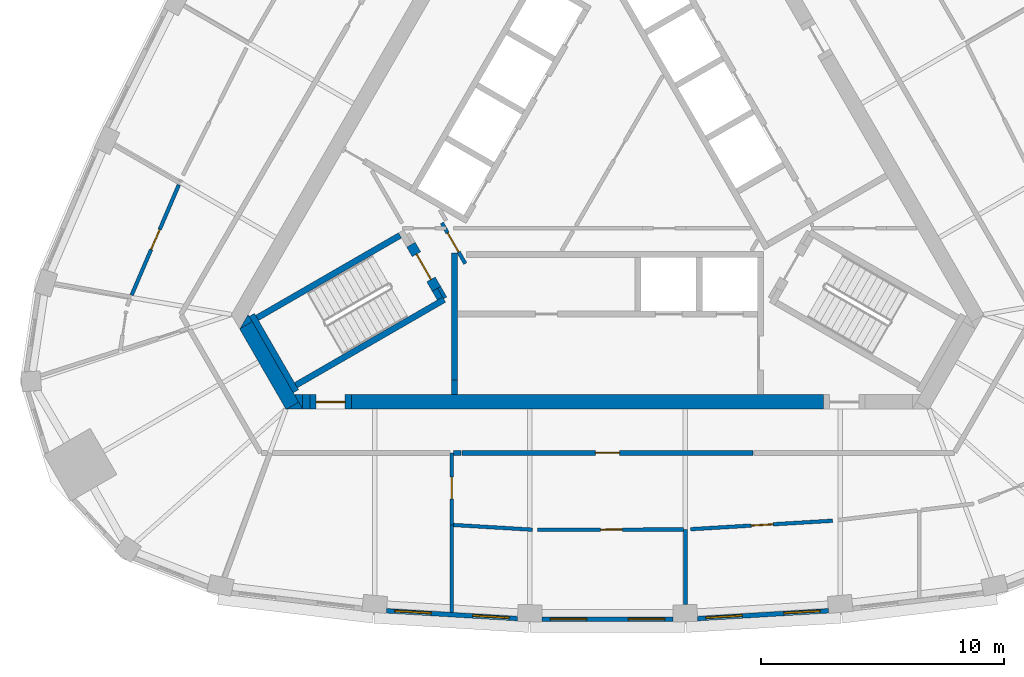
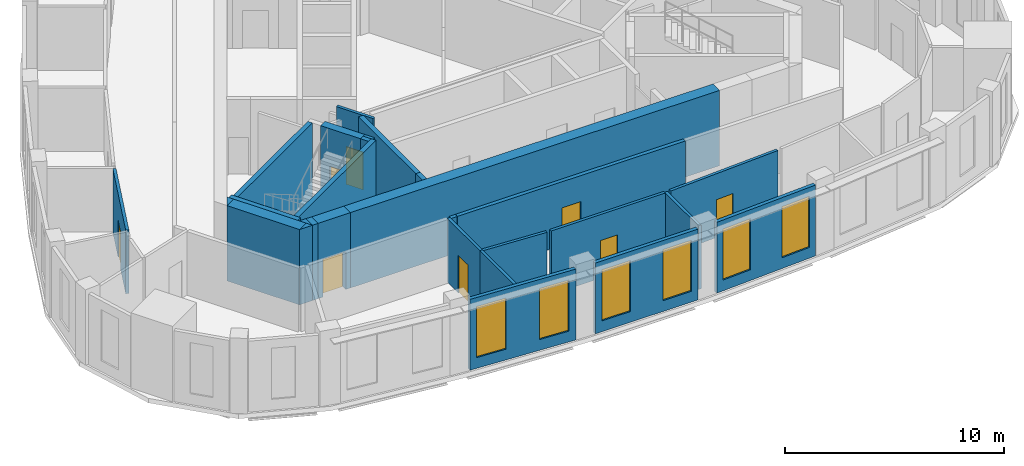
# One storey, part 3 of 10: 28 walls, 8 doors, 6 windows, 14 openings.
"""IFC4 building model written with IfcOpenShell, lengths in metres."""

from ifc_helpers import new_model, si_unit, direction, frame, frame_2d, origin, place, context, subcontext, project, spatial, polyline, rectangle, outline, extrude, material, layer, layer_set, type_object, element, fill, save


model = new_model("IFC4")

# Units and contexts
model_context = context("Model", 3, precision=1e-05, world=origin(), true_north=direction((0.0, 1.0)))
body_context = subcontext(model_context, "Body", "Model", "MODEL_VIEW")
ifc_project = project(units=[si_unit("LENGTHUNIT", "METRE"), si_unit("AREAUNIT", "SQUARE_METRE"), si_unit("VOLUMEUNIT", "CUBIC_METRE"), si_unit("PLANEANGLEUNIT", "RADIAN"), si_unit("MASSUNIT", "GRAM", prefix="KILO")], contexts=[model_context])

# Site, building, storey
site_placement = place(None, origin())
site = spatial("IfcSite", under=ifc_project, at=site_placement, CompositionType="ELEMENT")
building_placement = place(site_placement, origin())
building = spatial("IfcBuilding", under=site, at=building_placement, Name="Mestral Congress Tower", CompositionType="ELEMENT")
storey_placement = place(building_placement, frame((0.0, 0.0, 288.0)))
storey = spatial("IfcBuildingStorey", under=building, at=storey_placement, Name="L67", CompositionType="ELEMENT", Elevation=288.0)

# Walls
ifc_material_1 = material(Name="Concrete C60/75", Category="concrete")
ifc_layer_1 = layer(ifc_material_1, 0.60009765625)
ifc_layer_set_1 = layer_set([ifc_layer_1], Name="Concrete C60/75")
wall_type_1 = type_object("IfcWallType", Name="Core wall RC 600", PredefinedType="SOLIDWALL", material=ifc_layer_set_1)
wall_1_placement = place(storey_placement, frame((-14.898681640625, -6.794677734375, 0.0), z_axis=(0.0, 0.0, 1.0), x_axis=(0.499950938802, -0.866053727428, 0.0)))
element("IfcWall", 1, at=wall_1_placement, inside=storey, type_object=wall_type_1, Name="L67 core wall", PredefinedType="SOLIDWALL", context=body_context, shape_type="SweptSolid", body=[
    extrude(rectangle(XDim=3.8232421875, YDim=0.60009765625, at=frame_2d((1.91162109375, 0.0))), origin(), (0.0, 0.0, 1.0), 4.199951171875),
])
placement = place(storey_placement, origin())
element("IfcWall", 2, at=placement, inside=storey, type_object=wall_type_1, Name="L67 core wall", PredefinedType="SOLIDWALL", context=body_context, shape_type="SweptSolid", body=[
    extrude(outline(polyline([(-14.639892578125, -6.642822265625), (-15.147216796875, -6.935791015625), (-14.80908203125, -6.35009765625), (-14.639892578125, -6.642822265625)])), origin(), (0.0, 0.0, 1.0), 4.199951171875),
])
element("IfcWall", 3, at=placement, inside=storey, type_object=wall_type_1, Name="L67 core wall", PredefinedType="SOLIDWALL", context=body_context, shape_type="SweptSolid", body=[
    extrude(outline(polyline([(-12.557373046875, -10.25), (-13.2333984375, -10.25), (-12.726318359375, -9.957275390625), (-12.557373046875, -10.25)])), origin(), (0.0, 0.0, 1.0), 4.199951171875),
])
wall_4_placement = place(storey_placement, frame((-12.256591796875, -9.949951171875, 0.0), z_axis=(0.0, 0.0, 1.0), x_axis=(-1.0, 0.0, 0.0)))
element("IfcWall", 4, at=wall_4_placement, inside=storey, type_object=wall_type_1, Name="L67 core wall", PredefinedType="SOLIDWALL", context=body_context, shape_type="SweptSolid", body=[
    extrude(rectangle(XDim=0.30712890625, YDim=0.60009765625, at=frame_2d((0.153564453125, 0.0))), origin(), (0.0, 0.0, 1.0), 4.199951171875),
])
element("IfcWall", 5, at=placement, inside=storey, type_object=wall_type_1, Name="L67 core wall", PredefinedType="SOLIDWALL", context=body_context, shape_type="SweptSolid", body=[
    extrude(outline(polyline([(-12.90380859375, -9.64990234375), (-12.56591796875, -9.64990234375), (-12.56591796875, -10.235595703125), (-12.90380859375, -9.64990234375)])), origin(), (0.0, 0.0, 1.0), 4.199951171875),
])
wall_6_placement = place(storey_placement, frame((-10.556396484375, -9.949951171875, 0.0), z_axis=(0.0, 0.0, 1.0), x_axis=(1.0, 0.0, 0.0)))
element("IfcWall", 6, at=wall_6_placement, inside=storey, type_object=wall_type_1, Name="L67 core wall", PredefinedType="SOLIDWALL", context=body_context, shape_type="SweptSolid", body=[
    extrude(rectangle(XDim=19.460693359375, YDim=0.60009765625, at=frame_2d((9.73046875, 0.0))), origin(), (0.0, 0.0, 1.0), 4.199951171875),
])

# Wall, opening, door
wall_7_placement = place(storey_placement, frame((-10.556396484375, -9.949951171875, 0.0), z_axis=(0.0, 0.0, 1.0), x_axis=(-1.0, 0.0, 0.0)))
wall_7 = element("IfcWall", 7, at=wall_7_placement, inside=storey, type_object=wall_type_1, Name="L67 door wall", PredefinedType="SOLIDWALL", context=body_context, shape_type="SweptSolid", body=[
    extrude(rectangle(XDim=1.699951171875, YDim=0.60009765625, at=frame_2d((0.85009765625, 0.0))), origin(), (0.0, 0.0, 1.0), 4.199951171875),
])
opening_1_placement = place(wall_7_placement, frame((0.25, 0.0, 0.0)))
opening_1 = element("IfcOpeningElement", 8, at=opening_1_placement, cuts=wall_7, Name="Opening XD3", PredefinedType="OPENING", context=body_context, shape_type="SweptSolid", body=[
    extrude(rectangle(XDim=1.199951171875, YDim=2.10009765625, at=frame_2d((0.60009765625, 1.050048828125))), frame((0.0, 0.31005859375, 0.0), z_axis=(0.0, -1.0, 0.0), x_axis=(1.0, 0.0, 0.0)), (0.0, 0.0, 1.0), 0.6201171875),
])
ifc_material_2 = material(Name="Fire-rated steel door set", Category="steel")
door_type_1 = type_object("IfcDoorType", Name="Core door XD 1200x2100", OperationType="SINGLE_SWING_LEFT", PredefinedType="DOOR", material=ifc_material_2)
door_1_placement = place(opening_1_placement, origin())
door_1 = element("IfcDoor", 9, at=door_1_placement, inside=storey, type_object=door_type_1, Name="Door XD3", OperationType="SINGLE_SWING_LEFT", OverallHeight=2.10009765625, OverallWidth=1.199951171875, PredefinedType="DOOR", context=body_context, shape_type="SweptSolid", body=[
    extrude(rectangle(XDim=1.199951171875, YDim=2.10009765625, at=frame_2d((0.60009765625, 1.050048828125))), frame((0.0, 0.02490234375, 0.0), z_axis=(0.0, -1.0, 0.0), x_axis=(1.0, 0.0, 0.0)), (0.0, 0.0, 1.0), 0.050048828125),
])
fill(opening_1, door_1)

# Wall, openings, windows
ifc_material_3 = material(Name="Precast concrete C40/50 with limestone facing", Category="masonry")
ifc_layer_2 = layer(ifc_material_3, 0.18994140625)
ifc_layer_set_2 = layer_set([ifc_layer_2], Name="Precast concrete C40/50 with limestone facing")
wall_type_2 = type_object("IfcWallType", Name="Facade stone wall 190", PredefinedType="SOLIDWALL", material=ifc_layer_set_2)
wall_8_placement = place(storey_placement, frame((-9.106689453125, -18.557861328125, 0.0), z_axis=(0.0, 0.0, 1.0), x_axis=(0.998221492823, -0.059614186786, 0.0)))
wall_8 = element("IfcWall", 10, at=wall_8_placement, inside=storey, type_object=wall_type_2, Name="Facade wall F0-01", PredefinedType="SOLIDWALL", context=body_context, shape_type="SweptSolid", body=[
    extrude(rectangle(XDim=5.40576171875, YDim=0.18994140625, at=frame_2d((2.702880859375, 0.0))), origin(), (0.0, 0.0, 1.0), 3.949951171875),
])
opening_2_placement = place(wall_8_placement, frame((0.346435546875, 0.0, 0.60009765625)))
opening_2 = element("IfcOpeningElement", 11, at=opening_2_placement, cuts=wall_8, Name="Opening W6", PredefinedType="OPENING", context=body_context, shape_type="SweptSolid", body=[
    extrude(rectangle(XDim=1.5, YDim=2.85009765625, at=frame_2d((0.75, 1.425048828125))), frame((0.0, 0.10498046875, 0.0), z_axis=(0.0, -1.0, 0.0), x_axis=(1.0, 0.0, 0.0)), (0.0, 0.0, 1.0), 0.2099609375),
])
opening_3_placement = place(wall_8_placement, frame((3.559326171875, 0.0, 0.60009765625)))
opening_3 = element("IfcOpeningElement", 12, at=opening_3_placement, cuts=wall_8, Name="Opening W6", PredefinedType="OPENING", context=body_context, shape_type="SweptSolid", body=[
    extrude(rectangle(XDim=1.5, YDim=2.85009765625, at=frame_2d((0.75, 1.425048828125))), frame((0.0, 0.10498046875, 0.0), z_axis=(0.0, -1.0, 0.0), x_axis=(1.0, 0.0, 0.0)), (0.0, 0.0, 1.0), 0.2099609375),
])
ifc_material_4 = material(Name="Clear low-emissivity double glazing", Category="glass")
window_type = type_object("IfcWindowType", Name="Facade punched window 1500 x 2850 sill 600", PartitioningType="SINGLE_PANEL", PredefinedType="WINDOW", material=ifc_material_4)
window_1_placement = place(opening_2_placement, origin())
window_1 = element("IfcWindow", 13, at=window_1_placement, inside=storey, type_object=window_type, Name="Window F0-01a", OverallHeight=2.85009765625, OverallWidth=1.5, PartitioningType="SINGLE_PANEL", PredefinedType="WINDOW", context=body_context, shape_type="SweptSolid", body=[
    extrude(rectangle(XDim=1.5, YDim=2.85009765625, at=frame_2d((0.75, 1.425048828125))), frame((0.0, 0.044921875, 0.0), z_axis=(0.0, -1.0, 0.0), x_axis=(1.0, 0.0, 0.0)), (0.0, 0.0, 1.0), 0.06005859375),
])
fill(opening_2, window_1)
window_2_placement = place(opening_3_placement, origin())
window_2 = element("IfcWindow", 14, at=window_2_placement, inside=storey, type_object=window_type, Name="Window F0-01b", OverallHeight=2.85009765625, OverallWidth=1.5, PartitioningType="SINGLE_PANEL", PredefinedType="WINDOW", context=body_context, shape_type="SweptSolid", body=[
    extrude(rectangle(XDim=1.5, YDim=2.85009765625, at=frame_2d((0.75, 1.425048828125))), frame((0.0, 0.044921875, 0.0), z_axis=(0.0, -1.0, 0.0), x_axis=(1.0, 0.0, 0.0)), (0.0, 0.0, 1.0), 0.06005859375),
])
fill(opening_3, window_2)

wall_9_placement = place(storey_placement, frame((-2.702880859375, -18.91015625, 0.0), z_axis=(0.0, 0.0, 1.0), x_axis=(1.0, 0.0, 0.0)))
wall_9 = element("IfcWall", 15, at=wall_9_placement, inside=storey, type_object=wall_type_2, Name="Facade wall F0-02", PredefinedType="SOLIDWALL", context=body_context, shape_type="SweptSolid", body=[
    extrude(rectangle(XDim=5.40576171875, YDim=0.18994140625, at=frame_2d((2.702880859375, 0.0))), origin(), (0.0, 0.0, 1.0), 3.949951171875),
])
opening_4_placement = place(wall_9_placement, frame((0.346435546875, 0.0, 0.60009765625)))
opening_4 = element("IfcOpeningElement", 16, at=opening_4_placement, cuts=wall_9, Name="Opening W6", PredefinedType="OPENING", context=body_context, shape_type="SweptSolid", body=[
    extrude(rectangle(XDim=1.5, YDim=2.85009765625, at=frame_2d((0.75, 1.425048828125))), frame((0.0, 0.10498046875, 0.0), z_axis=(0.0, -1.0, 0.0), x_axis=(1.0, 0.0, 0.0)), (0.0, 0.0, 1.0), 0.2099609375),
])
opening_5_placement = place(wall_9_placement, frame((3.5595703125, 0.0, 0.60009765625)))
opening_5 = element("IfcOpeningElement", 17, at=opening_5_placement, cuts=wall_9, Name="Opening W6", PredefinedType="OPENING", context=body_context, shape_type="SweptSolid", body=[
    extrude(rectangle(XDim=1.5, YDim=2.85009765625, at=frame_2d((0.75, 1.425048828125))), frame((0.0, 0.10498046875, 0.0), z_axis=(0.0, -1.0, 0.0), x_axis=(1.0, 0.0, 0.0)), (0.0, 0.0, 1.0), 0.2099609375),
])
window_3_placement = place(opening_4_placement, origin())
window_3 = element("IfcWindow", 18, at=window_3_placement, inside=storey, type_object=window_type, Name="Window F0-02a", OverallHeight=2.85009765625, OverallWidth=1.5, PartitioningType="SINGLE_PANEL", PredefinedType="WINDOW", context=body_context, shape_type="SweptSolid", body=[
    extrude(rectangle(XDim=1.5, YDim=2.85009765625, at=frame_2d((0.75, 1.425048828125))), frame((0.0, 0.044921875, 0.0), z_axis=(0.0, -1.0, 0.0), x_axis=(1.0, 0.0, 0.0)), (0.0, 0.0, 1.0), 0.06005859375),
])
fill(opening_4, window_3)
window_4_placement = place(opening_5_placement, origin())
window_4 = element("IfcWindow", 19, at=window_4_placement, inside=storey, type_object=window_type, Name="Window F0-02b", OverallHeight=2.85009765625, OverallWidth=1.5, PartitioningType="SINGLE_PANEL", PredefinedType="WINDOW", context=body_context, shape_type="SweptSolid", body=[
    extrude(rectangle(XDim=1.5, YDim=2.85009765625, at=frame_2d((0.75, 1.425048828125))), frame((0.0, 0.044921875, 0.0), z_axis=(0.0, -1.0, 0.0), x_axis=(1.0, 0.0, 0.0)), (0.0, 0.0, 1.0), 0.06005859375),
])
fill(opening_5, window_4)

wall_10_placement = place(storey_placement, frame((3.71044921875, -18.880126953125, 0.0), z_axis=(0.0, 0.0, 1.0), x_axis=(0.998221492823, 0.059614186786, 0.0)))
wall_10 = element("IfcWall", 20, at=wall_10_placement, inside=storey, type_object=wall_type_2, Name="Facade wall F0-03", PredefinedType="SOLIDWALL", context=body_context, shape_type="SweptSolid", body=[
    extrude(rectangle(XDim=5.40576171875, YDim=0.18994140625, at=frame_2d((2.702880859375, 0.0))), origin(), (0.0, 0.0, 1.0), 3.949951171875),
])
opening_6_placement = place(wall_10_placement, frame((0.346435546875, 0.0, 0.60009765625)))
opening_6 = element("IfcOpeningElement", 21, at=opening_6_placement, cuts=wall_10, Name="Opening W6", PredefinedType="OPENING", context=body_context, shape_type="SweptSolid", body=[
    extrude(rectangle(XDim=1.5, YDim=2.85009765625, at=frame_2d((0.75, 1.425048828125))), frame((0.0, 0.10498046875, 0.0), z_axis=(0.0, -1.0, 0.0), x_axis=(1.0, 0.0, 0.0)), (0.0, 0.0, 1.0), 0.2099609375),
])
opening_7_placement = place(wall_10_placement, frame((3.559326171875, 0.0, 0.60009765625)))
opening_7 = element("IfcOpeningElement", 22, at=opening_7_placement, cuts=wall_10, Name="Opening W6", PredefinedType="OPENING", context=body_context, shape_type="SweptSolid", body=[
    extrude(rectangle(XDim=1.5, YDim=2.85009765625, at=frame_2d((0.75, 1.425048828125))), frame((0.0, 0.10498046875, 0.0), z_axis=(0.0, -1.0, 0.0), x_axis=(1.0, 0.0, 0.0)), (0.0, 0.0, 1.0), 0.2099609375),
])
window_5_placement = place(opening_6_placement, origin())
window_5 = element("IfcWindow", 23, at=window_5_placement, inside=storey, type_object=window_type, Name="Window F0-03a", OverallHeight=2.85009765625, OverallWidth=1.5, PartitioningType="SINGLE_PANEL", PredefinedType="WINDOW", context=body_context, shape_type="SweptSolid", body=[
    extrude(rectangle(XDim=1.5, YDim=2.85009765625, at=frame_2d((0.75, 1.425048828125))), frame((0.0, 0.044921875, 0.0), z_axis=(0.0, -1.0, 0.0), x_axis=(1.0, 0.0, 0.0)), (0.0, 0.0, 1.0), 0.06005859375),
])
fill(opening_6, window_5)
window_6_placement = place(opening_7_placement, origin())
window_6 = element("IfcWindow", 24, at=window_6_placement, inside=storey, type_object=window_type, Name="Window F0-03b", OverallHeight=2.85009765625, OverallWidth=1.5, PartitioningType="SINGLE_PANEL", PredefinedType="WINDOW", context=body_context, shape_type="SweptSolid", body=[
    extrude(rectangle(XDim=1.5, YDim=2.85009765625, at=frame_2d((0.75, 1.425048828125))), frame((0.0, 0.044921875, 0.0), z_axis=(0.0, -1.0, 0.0), x_axis=(1.0, 0.0, 0.0)), (0.0, 0.0, 1.0), 0.06005859375),
])
fill(opening_7, window_6)

# Wall
ifc_material_5 = material(Name="Plasterboard partition on steel studs", Category="steel")
ifc_layer_3 = layer(ifc_material_5, 0.14990234375)
ifc_layer_set_3 = layer_set([ifc_layer_3], Name="Plasterboard partition on steel studs")
wall_type_3 = type_object("IfcWallType", Name="Office partition 150", PredefinedType="PARTITIONING", material=ifc_layer_set_3)
wall_11_placement = place(storey_placement, frame((-6.420166015625, -15.0126953125, 0.0), z_axis=(0.0, 0.0, 1.0), x_axis=(0.0, -1.0, 0.0)))
element("IfcWall", 25, at=wall_11_placement, inside=storey, type_object=wall_type_3, Name="Partition", PredefinedType="PARTITIONING", context=body_context, shape_type="SweptSolid", body=[
    extrude(rectangle(XDim=3.6103515625, YDim=0.14990234375, at=frame_2d((1.80517578125, 0.0))), origin(), (0.0, 0.0, 1.0), 3.550048828125),
])

# Wall, opening, door
wall_12_placement = place(storey_placement, frame((-6.420166015625, -15.020751953125, 0.0), z_axis=(0.0, 0.0, 1.0), x_axis=(0.0, 1.0, 0.0)))
wall_12 = element("IfcWall", 26, at=wall_12_placement, inside=storey, type_object=wall_type_3, Name="Partition", PredefinedType="PARTITIONING", context=body_context, shape_type="SweptSolid", body=[
    extrude(rectangle(XDim=2.970703125, YDim=0.14990234375, at=frame_2d((1.4853515625, 0.0))), origin(), (0.0, 0.0, 1.0), 3.550048828125),
])
opening_8_placement = place(wall_12_placement, frame((1.07080078125, 0.0, 0.0)))
opening_8 = element("IfcOpeningElement", 27, at=opening_8_placement, cuts=wall_12, Name="Opening O12-001", PredefinedType="OPENING", context=body_context, shape_type="SweptSolid", body=[
    extrude(rectangle(XDim=0.89990234375, YDim=2.10009765625, at=frame_2d((0.449951171875, 1.050048828125))), frame((0.0, 0.0849609375, 0.0), z_axis=(0.0, -1.0, 0.0), x_axis=(1.0, 0.0, 0.0)), (0.0, 0.0, 1.0), 0.169921875),
])
ifc_material_6 = material(Name="Timber door set", Category="wood")
door_type_2 = type_object("IfcDoorType", Name="Office door 900x2100", OperationType="SINGLE_SWING_LEFT", PredefinedType="DOOR", material=ifc_material_6)
door_2_placement = place(opening_8_placement, origin())
door_2 = element("IfcDoor", 28, at=door_2_placement, inside=storey, type_object=door_type_2, Name="Door O12-001", OperationType="SINGLE_SWING_RIGHT", OverallHeight=2.10009765625, OverallWidth=0.89990234375, PredefinedType="DOOR", context=body_context, shape_type="SweptSolid", body=[
    extrude(rectangle(XDim=0.89990234375, YDim=2.10009765625, at=frame_2d((0.449951171875, 1.050048828125))), frame((0.0, 0.02490234375, 0.0), z_axis=(0.0, -1.0, 0.0), x_axis=(1.0, 0.0, 0.0)), (0.0, 0.0, 1.0), 0.050048828125),
])
fill(opening_8, door_2)

# Walls
wall_13_placement = place(storey_placement, frame((3.212890625, -15.208251953125, 0.0), z_axis=(0.0, 0.0, 1.0), x_axis=(0.0, -1.0, 0.0)))
element("IfcWall", 29, at=wall_13_placement, inside=storey, type_object=wall_type_3, Name="Partition", PredefinedType="PARTITIONING", context=body_context, shape_type="SweptSolid", body=[
    extrude(rectangle(XDim=3.096435546875, YDim=0.14990234375, at=frame_2d((1.54833984375, 0.0))), origin(), (0.0, 0.0, 1.0), 3.550048828125),
])
wall_14_placement = place(storey_placement, frame((-6.34521484375, -15.021240234375, 0.0), z_axis=(0.0, 0.0, 1.0), x_axis=(0.998224081041, -0.059570832044, 0.0)))
element("IfcWall", 30, at=wall_14_placement, inside=storey, type_object=wall_type_3, Name="Partition", PredefinedType="PARTITIONING", context=body_context, shape_type="SweptSolid", body=[
    extrude(rectangle(XDim=3.254150390625, YDim=0.14990234375, at=frame_2d((1.626953125, 0.0))), origin(), (0.0, 0.0, 1.0), 3.550048828125),
])

# Wall, opening, door
wall_15_placement = place(storey_placement, frame((3.137939453125, -15.20849609375, 0.0), z_axis=(0.0, 0.0, 1.0), x_axis=(-0.999999400608, -0.001094889855, 0.0)))
wall_15 = element("IfcWall", 31, at=wall_15_placement, inside=storey, type_object=wall_type_3, Name="Partition", PredefinedType="PARTITIONING", context=body_context, shape_type="SweptSolid", body=[
    extrude(rectangle(XDim=6.0205078125, YDim=0.14990234375, at=frame_2d((3.01025390625, 0.0))), origin(), (0.0, 0.0, 1.0), 3.550048828125),
])
opening_9_placement = place(wall_15_placement, frame((2.5205078125, 0.0, 0.0)))
opening_9 = element("IfcOpeningElement", 32, at=opening_9_placement, cuts=wall_15, Name="Opening O12-002", PredefinedType="OPENING", context=body_context, shape_type="SweptSolid", body=[
    extrude(rectangle(XDim=0.89990234375, YDim=2.10009765625, at=frame_2d((0.449951171875, 1.050048828125))), frame((0.0, 0.0849609375, 0.0), z_axis=(0.0, -1.0, 0.0), x_axis=(1.0, 0.0, 0.0)), (0.0, 0.0, 1.0), 0.169921875),
])
door_3_placement = place(opening_9_placement, origin())
door_3 = element("IfcDoor", 33, at=door_3_placement, inside=storey, type_object=door_type_2, Name="Door O12-002", OperationType="SINGLE_SWING_LEFT", OverallHeight=2.10009765625, OverallWidth=0.89990234375, PredefinedType="DOOR", context=body_context, shape_type="SweptSolid", body=[
    extrude(rectangle(XDim=0.89990234375, YDim=2.10009765625, at=frame_2d((0.449951171875, 1.050048828125))), frame((0.0, 0.02490234375, 0.0), z_axis=(0.0, -1.0, 0.0), x_axis=(1.0, 0.0, 0.0)), (0.0, 0.0, 1.0), 0.050048828125),
])
fill(opening_9, door_3)

wall_16_placement = place(storey_placement, frame((9.279541015625, -14.845947265625, 0.0), z_axis=(0.0, 0.0, 1.0), x_axis=(-0.998220544688, -0.059630060904, 0.0)))
wall_16 = element("IfcWall", 34, at=wall_16_placement, inside=storey, type_object=wall_type_3, Name="Partition", PredefinedType="PARTITIONING", context=body_context, shape_type="SweptSolid", body=[
    extrude(rectangle(XDim=5.863037109375, YDim=0.14990234375, at=frame_2d((2.931640625, 0.0))), origin(), (0.0, 0.0, 1.0), 3.550048828125),
])
opening_10_placement = place(wall_16_placement, frame((2.463134765625, 0.0, 0.0)))
opening_10 = element("IfcOpeningElement", 35, at=opening_10_placement, cuts=wall_16, Name="Opening O12-003", PredefinedType="OPENING", context=body_context, shape_type="SweptSolid", body=[
    extrude(rectangle(XDim=0.89990234375, YDim=2.10009765625, at=frame_2d((0.449951171875, 1.050048828125))), frame((0.0, 0.0849609375, 0.0), z_axis=(0.0, -1.0, 0.0), x_axis=(1.0, 0.0, 0.0)), (0.0, 0.0, 1.0), 0.169921875),
])
door_4_placement = place(opening_10_placement, origin())
door_4 = element("IfcDoor", 36, at=door_4_placement, inside=storey, type_object=door_type_2, Name="Door O12-003", OperationType="SINGLE_SWING_LEFT", OverallHeight=2.10009765625, OverallWidth=0.89990234375, PredefinedType="DOOR", context=body_context, shape_type="SweptSolid", body=[
    extrude(rectangle(XDim=0.89990234375, YDim=2.10009765625, at=frame_2d((0.449951171875, 1.050048828125))), frame((0.0, 0.02490234375, 0.0), z_axis=(0.0, -1.0, 0.0), x_axis=(1.0, 0.0, 0.0)), (0.0, 0.0, 1.0), 0.050048828125),
])
fill(opening_10, door_4)

wall_17_placement = place(storey_placement, frame((-19.6083984375, -5.548828125, 0.0), z_axis=(0.0, 0.0, 1.0), x_axis=(0.393352855097, 0.919387584964, 0.0)))
wall_17 = element("IfcWall", 37, at=wall_17_placement, inside=storey, type_object=wall_type_3, Name="Partition", PredefinedType="PARTITIONING", context=body_context, shape_type="SweptSolid", body=[
    extrude(rectangle(XDim=4.9423828125, YDim=0.14990234375, at=frame_2d((2.47119140625, 0.0))), origin(), (0.0, 0.0, 1.0), 3.550048828125),
])
opening_11_placement = place(wall_17_placement, frame((2.042236328125, 0.0, 0.0)))
opening_11 = element("IfcOpeningElement", 38, at=opening_11_placement, cuts=wall_17, Name="Opening O12-016", PredefinedType="OPENING", context=body_context, shape_type="SweptSolid", body=[
    extrude(rectangle(XDim=0.89990234375, YDim=2.10009765625, at=frame_2d((0.449951171875, 1.050048828125))), frame((0.0, 0.0849609375, 0.0), z_axis=(0.0, -1.0, 0.0), x_axis=(1.0, 0.0, 0.0)), (0.0, 0.0, 1.0), 0.169921875),
])
door_5_placement = place(opening_11_placement, origin())
door_5 = element("IfcDoor", 39, at=door_5_placement, inside=storey, type_object=door_type_2, Name="Door O12-016", OperationType="SINGLE_SWING_RIGHT", OverallHeight=2.10009765625, OverallWidth=0.89990234375, PredefinedType="DOOR", context=body_context, shape_type="SweptSolid", body=[
    extrude(rectangle(XDim=0.89990234375, YDim=2.10009765625, at=frame_2d((0.449951171875, 1.050048828125))), frame((0.0, 0.02490234375, 0.0), z_axis=(0.0, -1.0, 0.0), x_axis=(1.0, 0.0, 0.0)), (0.0, 0.0, 1.0), 0.050048828125),
])
fill(opening_11, door_5)

ifc_material_7 = material(Name="Dense masonry wall, plastered", Category="masonry")
ifc_layer_4 = layer(ifc_material_7, 0.199951171875)
ifc_layer_set_4 = layer_set([ifc_layer_4], Name="Dense masonry wall, plastered")
wall_type_4 = type_object("IfcWallType", Name="Office tenancy wall 200", PredefinedType="PARTITIONING", material=ifc_layer_set_4)
wall_18_placement = place(storey_placement, frame((-6.0, -12.050048828125, 0.0), z_axis=(0.0, 0.0, 1.0), x_axis=(1.0, 0.0, 0.0)))
wall_18 = element("IfcWall", 40, at=wall_18_placement, inside=storey, type_object=wall_type_4, Name="Tenancy wall", PredefinedType="PARTITIONING", context=body_context, shape_type="SweptSolid", body=[
    extrude(rectangle(XDim=12.0, YDim=0.199951171875, at=frame_2d((6.0, 0.0))), origin(), (0.0, 0.0, 1.0), 3.550048828125),
])
opening_12_placement = place(wall_18_placement, frame((5.5, 0.0, 0.0)))
opening_12 = element("IfcOpeningElement", 41, at=opening_12_placement, cuts=wall_18, Name="Opening O12-008", PredefinedType="OPENING", context=body_context, shape_type="SweptSolid", body=[
    extrude(rectangle(XDim=1.0, YDim=2.10009765625, at=frame_2d((0.5, 1.050048828125))), frame((0.0, 0.10986328125, 0.0), z_axis=(0.0, -1.0, 0.0), x_axis=(1.0, 0.0, 0.0)), (0.0, 0.0, 1.0), 0.219970703125),
])
ifc_material_8 = material(Name="Fire-rated timber door set", Category="wood")
door_type_3 = type_object("IfcDoorType", Name="Office tenancy entrance door 1000x2100", OperationType="SINGLE_SWING_LEFT", PredefinedType="DOOR", material=ifc_material_8)
door_6_placement = place(opening_12_placement, origin())
door_6 = element("IfcDoor", 42, at=door_6_placement, inside=storey, type_object=door_type_3, Name="Door O12-008", OperationType="SINGLE_SWING_RIGHT", OverallHeight=2.10009765625, OverallWidth=1.0, PredefinedType="DOOR", context=body_context, shape_type="SweptSolid", body=[
    extrude(rectangle(XDim=1.0, YDim=2.10009765625, at=frame_2d((0.5, 1.050048828125))), frame((0.0, 0.02490234375, 0.0), z_axis=(0.0, -1.0, 0.0), x_axis=(1.0, 0.0, 0.0)), (0.0, 0.0, 1.0), 0.050048828125),
])
fill(opening_12, door_6)

# Walls
wall_19_placement = place(storey_placement, frame((-6.34521484375, -12.050048828125, 0.0), z_axis=(0.0, 0.0, 1.0), x_axis=(1.0, 0.0, 0.0)))
element("IfcWall", 43, at=wall_19_placement, inside=storey, type_object=wall_type_4, Name="Tenancy wall", PredefinedType="PARTITIONING", context=body_context, shape_type="SweptSolid", body=[
    extrude(rectangle(XDim=0.315185546875, YDim=0.199951171875, at=frame_2d((0.15771484375, 0.0))), origin(), (0.0, 0.0, 1.0), 3.550048828125),
])
ifc_layer_5 = layer(ifc_material_1, 0.25)
ifc_layer_set_5 = layer_set([ifc_layer_5], Name="Concrete C60/75")
wall_type_5 = type_object("IfcWallType", Name="Shaft wall RC 250", PredefinedType="SOLIDWALL", material=ifc_layer_set_5)
wall_20_placement = place(storey_placement, frame((-6.300048828125, -9.050048828125, 0.0), z_axis=(0.0, 0.0, 1.0), x_axis=(0.0, 1.0, 0.0)))
element("IfcWall", 44, at=wall_20_placement, inside=storey, type_object=wall_type_5, Name="L67 core wall", PredefinedType="SOLIDWALL", context=body_context, shape_type="SweptSolid", body=[
    extrude(rectangle(XDim=5.22998046875, YDim=0.25, at=frame_2d((2.614990234375, 0.0))), origin(), (0.0, 0.0, 1.0), 4.199951171875),
])
wall_21_placement = place(storey_placement, frame((-6.300048828125, -9.052001953125, 0.0), z_axis=(0.0, 0.0, 1.0), x_axis=(0.0, -1.0, 0.0)))
element("IfcWall", 45, at=wall_21_placement, inside=storey, type_object=wall_type_5, Name="L67 core wall", PredefinedType="SOLIDWALL", context=body_context, shape_type="SweptSolid", body=[
    extrude(rectangle(XDim=0.597900390625, YDim=0.25, at=frame_2d((0.298828125, 0.0))), origin(), (0.0, 0.0, 1.0), 4.199951171875),
])
ifc_layer_6 = layer(ifc_material_1, 0.14990234375)
ifc_layer_set_6 = layer_set([ifc_layer_6], Name="Concrete C60/75")
wall_type_6 = type_object("IfcWallType", Name="Shaft wall RC 250 door-wall 150", PredefinedType="SOLIDWALL", material=ifc_layer_set_6)
wall_22_placement = place(storey_placement, frame((-6.940185546875, -5.230224609375, 0.0), z_axis=(0.0, 0.0, 1.0), x_axis=(0.499834152157, -0.86612113491, 0.0)))
element("IfcWall", 46, at=wall_22_placement, inside=storey, type_object=wall_type_6, Name="L67 core wall", PredefinedType="PARTITIONING", context=body_context, shape_type="SweptSolid", body=[
    extrude(rectangle(XDim=0.504638671875, YDim=0.14990234375, at=frame_2d((0.25244140625, 0.0))), origin(), (0.0, 0.0, 1.0), 4.199951171875),
])

# Wall, opening, door
wall_23_placement = place(storey_placement, frame((-5.861083984375, -4.248291015625, 0.0), z_axis=(0.0, 0.0, 1.0), x_axis=(-0.500043646338, 0.866000203093, 0.0)))
wall_23 = element("IfcWall", 47, at=wall_23_placement, inside=storey, type_object=wall_type_6, Name="L67 door wall", PredefinedType="PARTITIONING", context=body_context, shape_type="SweptSolid", body=[
    extrude(rectangle(XDim=1.929931640625, YDim=0.14990234375, at=frame_2d((0.96484375, 0.0))), origin(), (0.0, 0.0, 1.0), 4.199951171875),
])
opening_13_placement = place(wall_23_placement, frame((0.550048828125, 0.0, 0.0)))
opening_13 = element("IfcOpeningElement", 48, at=opening_13_placement, cuts=wall_23, Name="Opening CD3-HUB4", PredefinedType="OPENING", context=body_context, shape_type="SweptSolid", body=[
    extrude(rectangle(XDim=0.89990234375, YDim=2.10009765625, at=frame_2d((0.449951171875, 1.050048828125))), frame((0.0, 0.0849609375, 0.0), z_axis=(0.0, -1.0, 0.0), x_axis=(1.0, 0.0, 0.0)), (0.0, 0.0, 1.0), 0.169921875),
])
door_type_4 = type_object("IfcDoorType", Name="Core door CD 900x2100", OperationType="SINGLE_SWING_LEFT", PredefinedType="DOOR", material=ifc_material_2)
door_7_placement = place(opening_13_placement, origin())
door_7 = element("IfcDoor", 49, at=door_7_placement, inside=storey, type_object=door_type_4, Name="Door CD3-HUB4", OperationType="SINGLE_SWING_LEFT", OverallHeight=2.10009765625, OverallWidth=0.89990234375, PredefinedType="DOOR", context=body_context, shape_type="SweptSolid", body=[
    extrude(rectangle(XDim=0.89990234375, YDim=2.10009765625, at=frame_2d((0.449951171875, 1.050048828125))), frame((0.0, 0.02490234375, 0.0), z_axis=(0.0, -1.0, 0.0), x_axis=(1.0, 0.0, 0.0)), (0.0, 0.0, 1.0), 0.050048828125),
])
fill(opening_13, door_7)

# Walls
ifc_layer_7 = layer(ifc_material_1, 0.25)
ifc_layer_set_7 = layer_set([ifc_layer_7], Name="Concrete C60/75")
wall_type_7 = type_object("IfcWallType", Name="Stair wall RC 250", PredefinedType="SOLIDWALL", material=ifc_layer_set_7)
wall_24_placement = place(storey_placement, frame((-12.839599609375, -9.510986328125, 0.0), z_axis=(0.0, 0.0, 1.0), x_axis=(-0.499997733992, 0.866026712061, 0.0)))
element("IfcWall", 50, at=wall_24_placement, inside=storey, type_object=wall_type_7, Name="L67 core wall", PredefinedType="SOLIDWALL", context=body_context, shape_type="SweptSolid", body=[
    extrude(rectangle(XDim=3.6337890625, YDim=0.25, at=frame_2d((1.81689453125, 0.0))), origin(), (0.0, 0.0, 1.0), 4.199951171875),
])
wall_25_placement = place(storey_placement, frame((-14.43994140625, -6.489501953125, 0.0), z_axis=(0.0, 0.0, 1.0), x_axis=(0.866022966069, 0.500004222222, 0.0)))
element("IfcWall", 51, at=wall_25_placement, inside=storey, type_object=wall_type_7, Name="L67 core wall", PredefinedType="SOLIDWALL", context=body_context, shape_type="SweptSolid", body=[
    extrude(rectangle(XDim=6.80029296875, YDim=0.25, at=frame_2d((3.400146484375, 0.0))), origin(), (0.0, 0.0, 1.0), 4.199951171875),
])
wall_26_placement = place(storey_placement, frame((-12.83984375, -9.2607421875, 0.0), z_axis=(0.0, 0.0, 1.0), x_axis=(0.866016039709, 0.500016218704, 0.0)))
element("IfcWall", 52, at=wall_26_placement, inside=storey, type_object=wall_type_7, Name="L67 core wall", PredefinedType="SOLIDWALL", context=body_context, shape_type="SweptSolid", body=[
    extrude(rectangle(XDim=7.050048828125, YDim=0.25, at=frame_2d((3.52490234375, 0.0))), origin(), (0.0, 0.0, 1.0), 4.199951171875),
])
wall_27_placement = place(storey_placement, frame((-6.905029296875, -5.68994140625, 0.0), z_axis=(0.0, 0.0, 1.0), x_axis=(-0.499993700073, 0.866029041019, 0.0)))
element("IfcWall", 53, at=wall_27_placement, inside=storey, type_object=wall_type_7, Name="L67 core wall", PredefinedType="SOLIDWALL", context=body_context, shape_type="SweptSolid", body=[
    extrude(rectangle(XDim=0.41552734375, YDim=0.25, at=frame_2d((0.207763671875, 0.0))), origin(), (0.0, 0.0, 1.0), 4.199951171875),
])

# Wall, opening, door
ifc_layer_8 = layer(ifc_material_1, 0.39990234375)
ifc_layer_set_8 = layer_set([ifc_layer_8], Name="Concrete C60/75")
wall_type_8 = type_object("IfcWallType", Name="Stair wall RC 250 door-wall 400", PredefinedType="SOLIDWALL", material=ifc_layer_set_8)
wall_28_placement = place(storey_placement, frame((-8.097900390625, -3.473876953125, 0.0), z_axis=(0.0, 0.0, 1.0), x_axis=(0.49994051562, -0.866059744384, 0.0)))
wall_28 = element("IfcWall", 54, at=wall_28_placement, inside=storey, type_object=wall_type_8, Name="L67 door wall", PredefinedType="SOLIDWALL", context=body_context, shape_type="SweptSolid", body=[
    extrude(rectangle(XDim=2.099853515625, YDim=0.39990234375, at=frame_2d((1.0498046875, 0.0))), origin(), (0.0, 0.0, 1.0), 4.199951171875),
])
opening_14_placement = place(wall_28_placement, frame((0.449951171875, 0.0, 0.0)))
opening_14 = element("IfcOpeningElement", 55, at=opening_14_placement, cuts=wall_28, Name="Opening ST-D3", PredefinedType="OPENING", context=body_context, shape_type="SweptSolid", body=[
    extrude(rectangle(XDim=1.199951171875, YDim=2.10009765625, at=frame_2d((0.60009765625, 1.050048828125))), frame((0.0, 0.2099609375, 0.0), z_axis=(0.0, -1.0, 0.0), x_axis=(1.0, 0.0, 0.0)), (0.0, 0.0, 1.0), 0.419921875),
])
door_type_5 = type_object("IfcDoorType", Name="Core door ST 1200x2100", OperationType="SINGLE_SWING_LEFT", PredefinedType="DOOR", material=ifc_material_2)
door_8_placement = place(opening_14_placement, origin())
door_8 = element("IfcDoor", 56, at=door_8_placement, inside=storey, type_object=door_type_5, Name="Door ST-D3", OperationType="SINGLE_SWING_LEFT", OverallHeight=2.10009765625, OverallWidth=1.199951171875, PredefinedType="DOOR", context=body_context, shape_type="SweptSolid", body=[
    extrude(rectangle(XDim=1.199951171875, YDim=2.10009765625, at=frame_2d((0.60009765625, 1.050048828125))), frame((0.0, 0.02490234375, 0.0), z_axis=(0.0, -1.0, 0.0), x_axis=(1.0, 0.0, 0.0)), (0.0, 0.0, 1.0), 0.050048828125),
])
fill(opening_14, door_8)

save(model, "model.ifc")
